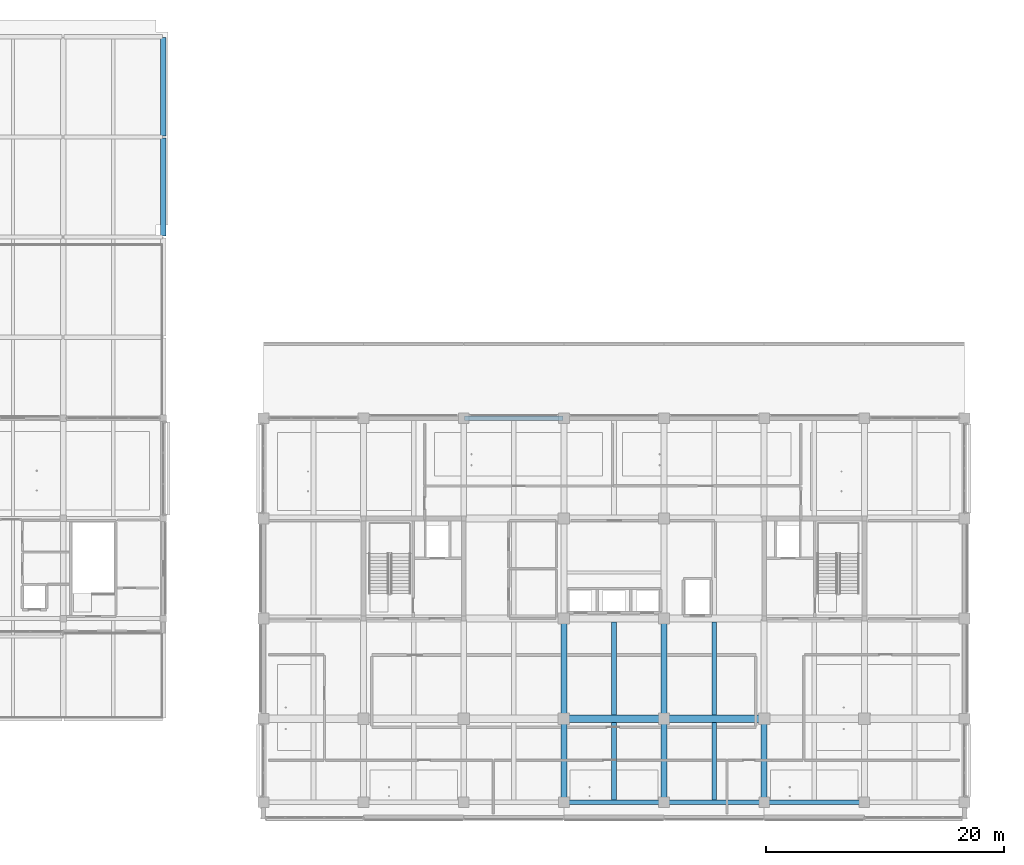
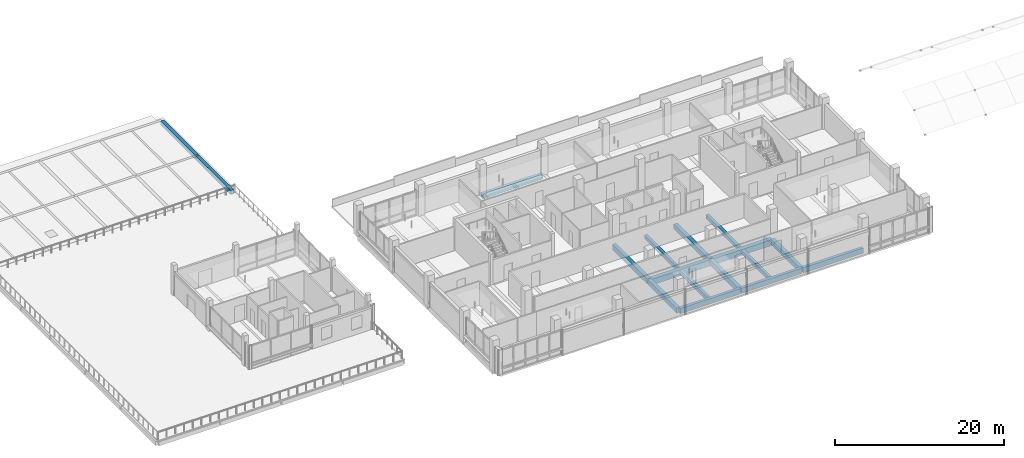
# One storey, part 12 of 59: 17 beams.
"""IFC4 building model written with IfcOpenShell, lengths in metres."""

from ifc_helpers import new_model, si_unit, direction, frame, origin, origin_2d, place, context, subcontext, project, spatial, rectangle, extrude, material, material_profile, profile_set, type_object, element, save


model = new_model("IFC4")

# Units and contexts
model_context = context("Model", 3, precision=1e-05, world=origin(), true_north=direction((0.0, 1.0)))
body_context = subcontext(model_context, "Body", "Model", "MODEL_VIEW")
ifc_project = project(units=[si_unit("LENGTHUNIT", "METRE"), si_unit("AREAUNIT", "SQUARE_METRE"), si_unit("VOLUMEUNIT", "CUBIC_METRE"), si_unit("PLANEANGLEUNIT", "RADIAN"), si_unit("MASSUNIT", "GRAM", prefix="KILO")], contexts=[model_context])

# Site, building, storey
site_placement = place(None, origin())
site = spatial("IfcSite", under=ifc_project, at=site_placement, CompositionType="ELEMENT")
building_placement = place(site_placement, origin())
building = spatial("IfcBuilding", under=site, at=building_placement, Name="Telukmera Botanical Conservatory", CompositionType="ELEMENT")
storey_placement = place(building_placement, frame((0.0, 0.0, 15.0)))
storey = spatial("IfcBuildingStorey", under=building, at=storey_placement, Name="L03", CompositionType="ELEMENT", Elevation=15.0)

# Beams
ifc_material_1 = material(Name="Concrete C40/50", Category="concrete")
ifc_material_profile_1 = material_profile(ifc_material_1, rectangle(XDim=0.60009765625, YDim=0.85009765625, at=origin_2d()), Name="RC 600x850")
ifc_profile_set_1 = profile_set([ifc_material_profile_1], Name="Concrete C40/50")
beam_type_1 = type_object("IfcBeamType", Name="Beam_B11", PredefinedType="BEAM", material=ifc_profile_set_1)
for number, where, z_axis, x_axis, name in (
    (1, (75.679931640625, 17.60009765625, -0.425048828125), (1.0, 0.0, 0.0), (0.0, 1.0, 0.0), "Tower Grid Beam L03"),
    (2, (84.080078125, 17.60009765625, -0.425048828125), (1.0, 0.0, 0.0), (0.0, 1.0, 0.0), "Tower Grid Beam L03"),
):
    element("IfcBeam", number, at=place(storey_placement, frame(where, z_axis=z_axis, x_axis=x_axis)), inside=storey, type_object=beam_type_1, Name=name, PredefinedType="BEAM", context=body_context, shape_type="SweptSolid", body=[
        extrude(rectangle(XDim=0.60009765625, YDim=0.85009765625, at=origin_2d()), origin(), (0.0, 0.0, 1.0), 8.239990234375),
    ])
ifc_material_profile_2 = material_profile(ifc_material_1, rectangle(XDim=0.5, YDim=0.75, at=origin_2d()), Name="RC 500x750")
ifc_profile_set_2 = profile_set([ifc_material_profile_2], Name="Concrete C40/50")
beam_type_2 = type_object("IfcBeamType", Name="Beam_B13", PredefinedType="BEAM", material=ifc_profile_set_2)
beam_1_placement = place(storey_placement, frame((75.60009765625, 10.679931640625, -0.375), z_axis=(0.0, 1.0, 0.0), x_axis=(-1.0, 0.0, 0.0)))
element("IfcBeam", 3, at=beam_1_placement, inside=storey, type_object=beam_type_2, Name="Tower Transverse Beam L03", PredefinedType="BEAM", context=body_context, shape_type="SweptSolid", body=[
    extrude(rectangle(XDim=0.5, YDim=0.75, at=origin_2d()), origin(), (0.0, 0.0, 1.0), 6.840087890625),
])
beam_2_placement = place(storey_placement, frame((75.60009765625, 17.679931640625, -0.375), z_axis=(0.0, 1.0, 0.0), x_axis=(-1.0, 0.0, 0.0)))
element("IfcBeam", 4, at=beam_2_placement, inside=storey, type_object=beam_type_2, Name="Tower Transverse Beam L03", PredefinedType="BEAM", context=body_context, shape_type="SweptSolid", body=[
    extrude(rectangle(XDim=0.5, YDim=0.75, at=origin_2d()), origin(), (0.0, 0.0, 1.0), 8.239990234375),
])
beam_3_placement = place(storey_placement, frame((84.0, 10.679931640625, -0.375), z_axis=(0.0, 1.0, 0.0), x_axis=(-1.0, 0.0, 0.0)))
element("IfcBeam", 5, at=beam_3_placement, inside=storey, type_object=beam_type_2, Name="Tower Transverse Beam L03", PredefinedType="BEAM", context=body_context, shape_type="SweptSolid", body=[
    extrude(rectangle(XDim=0.5, YDim=0.75, at=origin_2d()), origin(), (0.0, 0.0, 1.0), 6.840087890625),
])
beam_4_placement = place(storey_placement, frame((84.0, 17.679931640625, -0.375), z_axis=(0.0, 1.0, 0.0), x_axis=(-1.0, 0.0, 0.0)))
element("IfcBeam", 6, at=beam_4_placement, inside=storey, type_object=beam_type_2, Name="Tower Transverse Beam L03", PredefinedType="BEAM", context=body_context, shape_type="SweptSolid", body=[
    extrude(rectangle(XDim=0.5, YDim=0.75, at=origin_2d()), origin(), (0.0, 0.0, 1.0), 8.239990234375),
])
beam_5_placement = place(storey_placement, frame((92.39990234375, 10.679931640625, -0.375), z_axis=(0.0, 1.0, 0.0), x_axis=(-1.0, 0.0, 0.0)))
element("IfcBeam", 7, at=beam_5_placement, inside=storey, type_object=beam_type_2, Name="Tower Transverse Beam L03", PredefinedType="BEAM", context=body_context, shape_type="SweptSolid", body=[
    extrude(rectangle(XDim=0.5, YDim=0.75, at=origin_2d()), origin(), (0.0, 0.0, 1.0), 6.840087890625),
])
ifc_material_profile_3 = material_profile(ifc_material_1, rectangle(XDim=0.449951171875, YDim=0.60009765625, at=origin_2d()), Name="RC 450x600")
ifc_profile_set_3 = profile_set([ifc_material_profile_3], Name="Concrete C40/50")
beam_type_3 = type_object("IfcBeamType", Name="Beam_B17", PredefinedType="BEAM", material=ifc_profile_set_3)
for number, where, z_axis, x_axis, name in (
    (8, (42.0, 58.080078125, -0.300048828125), (0.0, 1.0, 0.0), (-1.0, 0.0, 0.0), "Visitor Wing Transverse Beam L03"),
    (9, (42.0, 66.47998046875, -0.300048828125), (0.0, 1.0, 0.0), (-1.0, 0.0, 0.0), "Visitor Wing Transverse Beam L03"),
):
    element("IfcBeam", number, at=place(storey_placement, frame(where, z_axis=z_axis, x_axis=x_axis)), inside=storey, type_object=beam_type_3, Name=name, PredefinedType="BEAM", context=body_context, shape_type="SweptSolid", body=[
        extrude(rectangle(XDim=0.449951171875, YDim=0.60009765625, at=origin_2d()), origin(), (0.0, 0.0, 1.0), 8.239990234375),
    ])
ifc_material_profile_4 = material_profile(ifc_material_1, rectangle(XDim=0.39990234375, YDim=0.550048828125, at=origin_2d()), Name="RC 400x550")
ifc_profile_set_4 = profile_set([ifc_material_profile_4], Name="Concrete C40/50")
beam_type_4 = type_object("IfcBeamType", Name="Beam_B19", PredefinedType="JOIST", material=ifc_profile_set_4)
beam_6_placement = place(storey_placement, frame((79.800048828125, 10.800048828125, -0.27490234375), z_axis=(0.0, 1.0, 0.0), x_axis=(-1.0, 0.0, 0.0)))
element("IfcBeam", 10, at=beam_6_placement, inside=storey, type_object=beam_type_4, Name="Tower Secondary Floor Joist L03", PredefinedType="JOIST", context=body_context, shape_type="SweptSolid", body=[
    extrude(rectangle(XDim=0.39990234375, YDim=0.550048828125, at=origin_2d()), origin(), (0.0, 0.0, 1.0), 6.5),
])
beam_7_placement = place(storey_placement, frame((79.800048828125, 17.89990234375, -0.27490234375), z_axis=(0.0, 1.0, 0.0), x_axis=(-1.0, 0.0, 0.0)))
element("IfcBeam", 11, at=beam_7_placement, inside=storey, type_object=beam_type_4, Name="Tower Secondary Floor Joist L03", PredefinedType="JOIST", context=body_context, shape_type="SweptSolid", body=[
    extrude(rectangle(XDim=0.39990234375, YDim=0.550048828125, at=origin_2d()), origin(), (0.0, 0.0, 1.0), 7.800048828125),
])
beam_8_placement = place(storey_placement, frame((88.199951171875, 10.800048828125, -0.27490234375), z_axis=(0.0, 1.0, 0.0), x_axis=(-1.0, 0.0, 0.0)))
element("IfcBeam", 12, at=beam_8_placement, inside=storey, type_object=beam_type_4, Name="Tower Secondary Floor Joist L03", PredefinedType="JOIST", context=body_context, shape_type="SweptSolid", body=[
    extrude(rectangle(XDim=0.39990234375, YDim=0.550048828125, at=origin_2d()), origin(), (0.0, 0.0, 1.0), 6.5),
])
beam_9_placement = place(storey_placement, frame((88.199951171875, 17.89990234375, -0.27490234375), z_axis=(0.0, 1.0, 0.0), x_axis=(-1.0, 0.0, 0.0)))
element("IfcBeam", 13, at=beam_9_placement, inside=storey, type_object=beam_type_4, Name="Tower Secondary Floor Joist L03", PredefinedType="JOIST", context=body_context, shape_type="SweptSolid", body=[
    extrude(rectangle(XDim=0.39990234375, YDim=0.550048828125, at=origin_2d()), origin(), (0.0, 0.0, 1.0), 7.800048828125),
])
ifc_material_2 = material(Name="Precast concrete C40/50", Category="concrete")
ifc_material_profile_5 = material_profile(ifc_material_2, rectangle(XDim=0.39990234375, YDim=0.75, at=origin_2d()), Name="PC 400x750")
ifc_profile_set_5 = profile_set([ifc_material_profile_5], Name="Precast concrete C40/50")
beam_type_5 = type_object("IfcBeamType", Name="Beam_SP1", PredefinedType="SPANDREL", material=ifc_profile_set_5)
for number, where, z_axis, x_axis, name in (
    (14, (75.679931640625, 10.60009765625, -0.375), (1.0, 0.0, 0.0), (0.0, 1.0, 0.0), "Tower Grid Beam L03"),
    (15, (84.080078125, 10.60009765625, -0.375), (1.0, 0.0, 0.0), (0.0, 1.0, 0.0), "Tower Grid Beam L03"),
    (16, (92.47998046875, 10.60009765625, -0.375), (1.0, 0.0, 0.0), (0.0, 1.0, 0.0), "Tower Grid Beam L03"),
    (17, (67.280029296875, 42.800048828125, -0.375), (1.0, 0.0, 0.0), (0.0, 1.0, 0.0), "Tower Grid Beam L03"),
):
    element("IfcBeam", number, at=place(storey_placement, frame(where, z_axis=z_axis, x_axis=x_axis)), inside=storey, type_object=beam_type_5, Name=name, PredefinedType="SPANDREL", context=body_context, shape_type="SweptSolid", body=[
        extrude(rectangle(XDim=0.39990234375, YDim=0.75, at=origin_2d()), origin(), (0.0, 0.0, 1.0), 8.239990234375),
    ])

save(model, "model.ifc")
